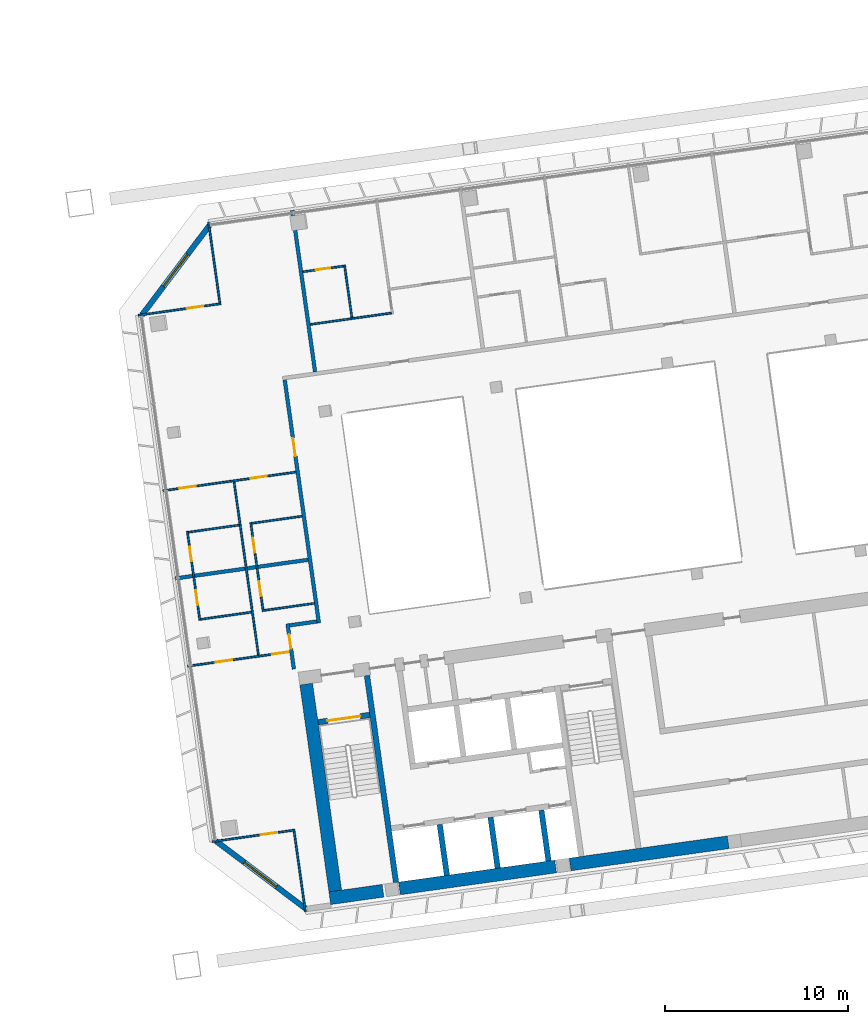
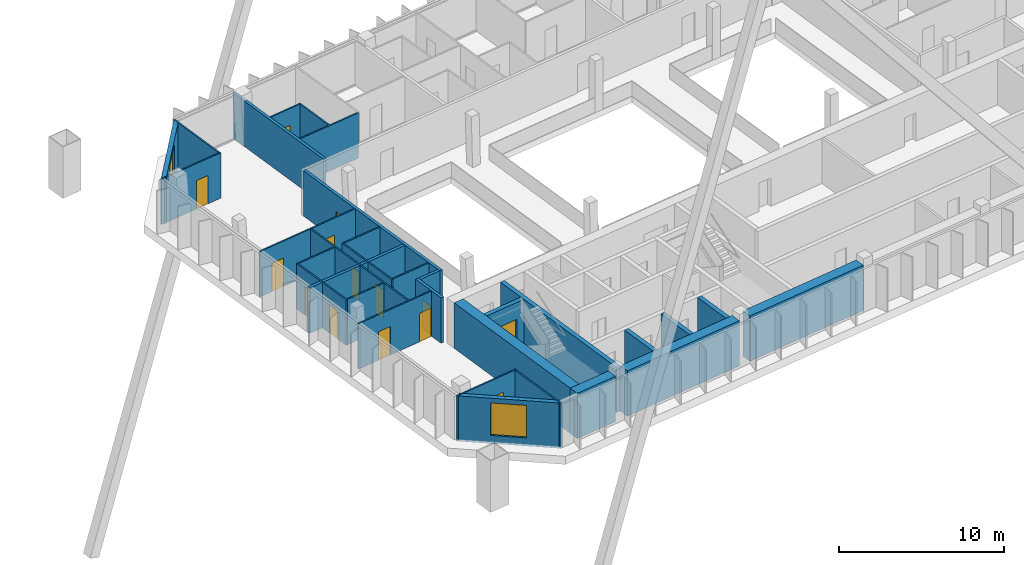
# One storey, part 28 of 38: 32 walls, 14 doors, 2 windows, 16 openings.
"""IFC4 building model written with IfcOpenShell, lengths in metres."""

from ifc_helpers import new_model, si_unit, direction, frame, frame_2d, origin, place, context, subcontext, project, spatial, rectangle, extrude, material, layer, layer_set, type_object, element, fill, save


model = new_model("IFC4")

# Units and contexts
model_context = context("Model", 3, precision=1e-05, world=origin(), true_north=direction((0.0, 1.0)))
body_context = subcontext(model_context, "Body", "Model", "MODEL_VIEW")
ifc_project = project(units=[si_unit("LENGTHUNIT", "METRE"), si_unit("AREAUNIT", "SQUARE_METRE"), si_unit("VOLUMEUNIT", "CUBIC_METRE"), si_unit("PLANEANGLEUNIT", "RADIAN"), si_unit("MASSUNIT", "GRAM", prefix="KILO")], contexts=[model_context])

# Site, building, storey
site_placement = place(None, origin())
site = spatial("IfcSite", under=ifc_project, at=site_placement, CompositionType="ELEMENT")
building_placement = place(site_placement, origin())
building = spatial("IfcBuilding", under=site, at=building_placement, Name="Mirante Cascada Hotel Towers", CompositionType="ELEMENT")
storey_placement = place(building_placement, frame((0.0, 0.0, 184.0)))
storey = spatial("IfcBuildingStorey", under=building, at=storey_placement, Name="L43", CompositionType="ELEMENT", Elevation=184.0)

# Walls
ifc_material_1 = material(Name="Fire-rated plasterboard on metal studs")
ifc_layer_1 = layer(ifc_material_1, 0.2)
ifc_layer_set_1 = layer_set([ifc_layer_1], Name="Compartment wall 200 EI 120")
wall_type_1 = type_object("IfcWallType", Name="Compartment wall 200 EI 120", PredefinedType="PARTITIONING", material=ifc_layer_set_1)
wall_1_placement = place(storey_placement, frame((36.5138, -4.518, 0.0), z_axis=(0.0, 0.0, 1.0), x_axis=(-0.9902735, -0.1391343, 0.0)))
element("IfcWall", 1, at=wall_1_placement, inside=storey, type_object=wall_type_1, Name="Wall 2-L43-03", PredefinedType="PARTITIONING", context=body_context, shape_type="SweptSolid", body=[
    extrude(rectangle(XDim=1.5, YDim=0.2, at=frame_2d((0.75, 0.0))), origin(), (0.0, 0.0, 1.0), 3.35),
])
wall_2_placement = place(storey_placement, frame((36.0406, -1.151, 0.0), z_axis=(0.0, 0.0, 1.0), x_axis=(-0.990268, -0.1391738, 0.0)))
element("IfcWall", 2, at=wall_2_placement, inside=storey, type_object=wall_type_1, Name="Wall 2-L43-07", PredefinedType="PARTITIONING", context=body_context, shape_type="SweptSolid", body=[
    extrude(rectangle(XDim=7.3203, YDim=0.2, at=frame_2d((3.6602, 0.0))), origin(), (0.0, 0.0, 1.0), 3.35),
])

# Wall, opening, door
wall_3_placement = place(storey_placement, frame((34.9155, -4.6416, 0.0), z_axis=(0.0, 0.0, 1.0), x_axis=(0.1391586, -0.9902701, 0.0)))
wall_3 = element("IfcWall", 3, at=wall_3_placement, inside=storey, type_object=wall_type_1, Name="Wall 2-L43-33", PredefinedType="PARTITIONING", context=body_context, shape_type="SweptSolid", body=[
    extrude(rectangle(XDim=2.5, YDim=0.2, at=frame_2d((1.25, 0.0))), origin(), (0.0, 0.0, 1.0), 3.35),
])
opening_1_placement = place(wall_3_placement, frame((0.5833, 0.0, 0.0)))
opening_1 = element("IfcOpeningElement", 4, at=opening_1_placement, cuts=wall_3, Name="Opening D2-L43-26", PredefinedType="OPENING", context=body_context, shape_type="SweptSolid", body=[
    extrude(rectangle(XDim=0.8, YDim=2.1, at=frame_2d((0.4, 1.05))), frame((0.0, 0.1, 0.0), z_axis=(0.0, -1.0, 0.0), x_axis=(1.0, 0.0, 0.0)), (0.0, 0.0, 1.0), 0.2),
])
ifc_material_2 = material(Name="Fire-rated timber door leaf", Category="wood")
door_type_1 = type_object("IfcDoorType", Name="Bathroom door DG4 800x2100 EI 60", OperationType="SINGLE_SWING_LEFT", PredefinedType="DOOR", material=ifc_material_2)
door_1_placement = place(opening_1_placement, origin())
door_1 = element("IfcDoor", 5, at=door_1_placement, inside=storey, type_object=door_type_1, Name="Door D2-L43-26", OperationType="SINGLE_SWING_LEFT", OverallHeight=2.1, OverallWidth=0.8, PredefinedType="DOOR", context=body_context, shape_type="SweptSolid", body=[
    extrude(rectangle(XDim=0.8, YDim=2.1, at=frame_2d((0.4, 1.05))), frame((0.0, 0.025, 0.0), z_axis=(0.0, -1.0, 0.0), x_axis=(1.0, 0.0, 0.0)), (0.0, 0.0, 1.0), 0.05),
])
fill(opening_1, door_1)

wall_4_placement = place(storey_placement, frame((36.6268, -4.6031, 0.0), z_axis=(0.0, 0.0, 1.0), x_axis=(-0.1391789, 0.9902673, 0.0)))
wall_4 = element("IfcWall", 6, at=wall_4_placement, inside=storey, type_object=wall_type_1, Name="Wall 2-L43-34", PredefinedType="PARTITIONING", context=body_context, shape_type="SweptSolid", body=[
    extrude(rectangle(XDim=13.4, YDim=0.2, at=frame_2d((6.7, 0.0))), origin(), (0.0, 0.0, 1.0), 3.35),
])
opening_2_placement = place(wall_4_placement, frame((9.1833, 0.0, 0.0)))
opening_2 = element("IfcOpeningElement", 7, at=opening_2_placement, cuts=wall_4, Name="Opening D2-L43-27", PredefinedType="OPENING", context=body_context, shape_type="SweptSolid", body=[
    extrude(rectangle(XDim=1.0, YDim=2.1, at=frame_2d((0.5, 1.05))), frame((0.0, 0.1, 0.0), z_axis=(0.0, -1.0, 0.0), x_axis=(1.0, 0.0, 0.0)), (0.0, 0.0, 1.0), 0.2),
])
ifc_material_3 = material(Name="Fire-rated timber door leaf", Category="wood")
door_type_2 = type_object("IfcDoorType", Name="Entrance door DG1 1000x2100 EI 60", OperationType="SINGLE_SWING_LEFT", PredefinedType="DOOR", material=ifc_material_3)
door_2_placement = place(opening_2_placement, origin())
door_2 = element("IfcDoor", 8, at=door_2_placement, inside=storey, type_object=door_type_2, Name="Door D2-L43-27", OperationType="SINGLE_SWING_LEFT", OverallHeight=2.1, OverallWidth=1.0, PredefinedType="DOOR", context=body_context, shape_type="SweptSolid", body=[
    extrude(rectangle(XDim=1.0, YDim=2.1, at=frame_2d((0.5, 1.05))), frame((0.0, 0.025, 0.0), z_axis=(0.0, -1.0, 0.0), x_axis=(1.0, 0.0, 0.0)), (0.0, 0.0, 1.0), 0.05),
])
fill(opening_2, door_2)

# Wall
wall_5_placement = place(storey_placement, frame((35.1805, 17.9148, 0.0), z_axis=(0.0, 0.0, 1.0), x_axis=(0.1391794, -0.9902672, 0.0)))
element("IfcWall", 9, at=wall_5_placement, inside=storey, type_object=wall_type_1, Name="Wall 2-L43-35", PredefinedType="PARTITIONING", context=body_context, shape_type="SweptSolid", body=[
    extrude(rectangle(XDim=8.9, YDim=0.2, at=frame_2d((4.45, 0.0))), origin(), (0.0, 0.0, 1.0), 3.35),
])

# Wall, opening, door
ifc_material_4 = material(Name="Plasterboard on metal studs")
ifc_layer_2 = layer(ifc_material_4, 0.1)
ifc_layer_set_2 = layer_set([ifc_layer_2], Name="Partition 100")
wall_type_2 = type_object("IfcWallType", Name="Partition 100", PredefinedType="PARTITIONING", material=ifc_layer_set_2)
wall_6_placement = place(storey_placement, frame((35.3152, -15.8955, 0.0), z_axis=(0.0, 0.0, 1.0), x_axis=(-0.9902691, -0.1391656, 0.0)))
wall_6 = element("IfcWall", 10, at=wall_6_placement, inside=storey, type_object=wall_type_2, Name="Wall 2-L43-01", PredefinedType="PARTITIONING", context=body_context, shape_type="SweptSolid", body=[
    extrude(rectangle(XDim=4.55, YDim=0.1, at=frame_2d((2.275, 0.0))), origin(), (0.0, 0.0, 1.0), 3.35),
])
opening_3_placement = place(wall_6_placement, frame((0.9718, 0.0, 0.0)))
opening_3 = element("IfcOpeningElement", 11, at=opening_3_placement, cuts=wall_6, Name="Opening D2-L43-01", PredefinedType="OPENING", context=body_context, shape_type="SweptSolid", body=[
    extrude(rectangle(XDim=0.9, YDim=2.1, at=frame_2d((0.45, 1.05))), frame((0.0, 0.05, 0.0), z_axis=(0.0, -1.0, 0.0), x_axis=(1.0, 0.0, 0.0)), (0.0, 0.0, 1.0), 0.1),
])
ifc_material_5 = material(Name="Timber door leaf", Category="wood")
door_type_3 = type_object("IfcDoorType", Name="Room door DG3 900x2100", OperationType="SINGLE_SWING_LEFT", PredefinedType="DOOR", material=ifc_material_5)
door_3_placement = place(opening_3_placement, frame((0.9, 0.0, 0.0), z_axis=(0.0, 0.0, 1.0), x_axis=(-1.0, 0.0, 0.0)))
door_3 = element("IfcDoor", 12, at=door_3_placement, inside=storey, type_object=door_type_3, Name="Door D2-L43-01", OperationType="SINGLE_SWING_RIGHT", OverallHeight=2.1, OverallWidth=0.9, PredefinedType="DOOR", context=body_context, shape_type="SweptSolid", body=[
    extrude(rectangle(XDim=0.9, YDim=2.1, at=frame_2d((0.45, 1.05))), frame((0.0, 0.025, 0.0), z_axis=(0.0, -1.0, 0.0), x_axis=(1.0, 0.0, 0.0)), (0.0, 0.0, 1.0), 0.05),
])
fill(opening_3, door_3)

# Wall, openings, doors
wall_7_placement = place(storey_placement, frame((29.4641, -6.9561, 0.0), z_axis=(0.0, 0.0, 1.0), x_axis=(0.9902683, 0.1391717, 0.0)))
wall_7 = element("IfcWall", 13, at=wall_7_placement, inside=storey, type_object=wall_type_2, Name="Wall 2-L43-02", PredefinedType="PARTITIONING", context=body_context, shape_type="SweptSolid", body=[
    extrude(rectangle(XDim=5.6204, YDim=0.1, at=frame_2d((2.8102, 0.0))), origin(), (0.0, 0.0, 1.0), 3.35),
])
opening_4_placement = place(wall_7_placement, frame((1.55, 0.0, 0.0)))
opening_4 = element("IfcOpeningElement", 14, at=opening_4_placement, cuts=wall_7, Name="Opening D2-L43-02", PredefinedType="OPENING", context=body_context, shape_type="SweptSolid", body=[
    extrude(rectangle(XDim=0.9, YDim=2.1, at=frame_2d((0.45, 1.05))), frame((0.0, 0.05, 0.0), z_axis=(0.0, -1.0, 0.0), x_axis=(1.0, 0.0, 0.0)), (0.0, 0.0, 1.0), 0.1),
])
opening_5_placement = place(wall_7_placement, frame((4.6704, 0.0, 0.0)))
opening_5 = element("IfcOpeningElement", 15, at=opening_5_placement, cuts=wall_7, Name="Opening D2-L43-03", PredefinedType="OPENING", context=body_context, shape_type="SweptSolid", body=[
    extrude(rectangle(XDim=0.9, YDim=2.1, at=frame_2d((0.45, 1.05))), frame((0.0, 0.05, 0.0), z_axis=(0.0, -1.0, 0.0), x_axis=(1.0, 0.0, 0.0)), (0.0, 0.0, 1.0), 0.1),
])
door_4_placement = place(opening_4_placement, frame((0.9, 0.0, 0.0), z_axis=(0.0, 0.0, 1.0), x_axis=(-1.0, 0.0, 0.0)))
door_4 = element("IfcDoor", 16, at=door_4_placement, inside=storey, type_object=door_type_3, Name="Door D2-L43-02", OperationType="SINGLE_SWING_RIGHT", OverallHeight=2.1, OverallWidth=0.9, PredefinedType="DOOR", context=body_context, shape_type="SweptSolid", body=[
    extrude(rectangle(XDim=0.9, YDim=2.1, at=frame_2d((0.45, 1.05))), frame((0.0, 0.025, 0.0), z_axis=(0.0, -1.0, 0.0), x_axis=(1.0, 0.0, 0.0)), (0.0, 0.0, 1.0), 0.05),
])
fill(opening_4, door_4)
door_5_placement = place(opening_5_placement, frame((0.9, 0.0, 0.0), z_axis=(0.0, 0.0, 1.0), x_axis=(-1.0, 0.0, 0.0)))
door_5 = element("IfcDoor", 17, at=door_5_placement, inside=storey, type_object=door_type_3, Name="Door D2-L43-03", OperationType="SINGLE_SWING_RIGHT", OverallHeight=2.1, OverallWidth=0.9, PredefinedType="DOOR", context=body_context, shape_type="SweptSolid", body=[
    extrude(rectangle(XDim=0.9, YDim=2.1, at=frame_2d((0.45, 1.05))), frame((0.0, 0.025, 0.0), z_axis=(0.0, -1.0, 0.0), x_axis=(1.0, 0.0, 0.0)), (0.0, 0.0, 1.0), 0.05),
])
fill(opening_5, door_5)

# Walls
wall_8_placement = place(storey_placement, frame((32.9481, -4.0093, 0.0), z_axis=(0.0, 0.0, 1.0), x_axis=(-0.9902719, -0.1391459, 0.0)))
element("IfcWall", 18, at=wall_8_placement, inside=storey, type_object=wall_type_2, Name="Wall 2-L43-05", PredefinedType="PARTITIONING", context=body_context, shape_type="SweptSolid", body=[
    extrude(rectangle(XDim=2.7999, YDim=0.1, at=frame_2d((1.4, 0.0))), origin(), (0.0, 0.0, 1.0), 3.35),
])
wall_9_placement = place(storey_placement, frame((33.6312, -3.9133, 0.0), z_axis=(0.0, 0.0, 1.0), x_axis=(0.9902668, 0.1391824, 0.0)))
element("IfcWall", 19, at=wall_9_placement, inside=storey, type_object=wall_type_2, Name="Wall 2-L43-06", PredefinedType="PARTITIONING", context=body_context, shape_type="SweptSolid", body=[
    extrude(rectangle(XDim=2.7705, YDim=0.1, at=frame_2d((1.3853, 0.0))), origin(), (0.0, 0.0, 1.0), 3.35),
])
wall_10_placement = place(storey_placement, frame((32.2801, 0.744, 0.0), z_axis=(0.0, 0.0, 1.0), x_axis=(-0.9902677, -0.139176, 0.0)))
element("IfcWall", 20, at=wall_10_placement, inside=storey, type_object=wall_type_2, Name="Wall 2-L43-09", PredefinedType="PARTITIONING", context=body_context, shape_type="SweptSolid", body=[
    extrude(rectangle(XDim=2.8001, YDim=0.1, at=frame_2d((1.4, 0.0))), origin(), (0.0, 0.0, 1.0), 3.35),
])
wall_11_placement = place(storey_placement, frame((32.9632, 0.84, 0.0), z_axis=(0.0, 0.0, 1.0), x_axis=(0.9902661, 0.1391874, 0.0)))
element("IfcWall", 21, at=wall_11_placement, inside=storey, type_object=wall_type_2, Name="Wall 2-L43-10", PredefinedType="PARTITIONING", context=body_context, shape_type="SweptSolid", body=[
    extrude(rectangle(XDim=2.7704, YDim=0.1, at=frame_2d((1.3852, 0.0))), origin(), (0.0, 0.0, 1.0), 3.35),
])

# Wall, openings, doors
wall_12_placement = place(storey_placement, frame((35.368, 3.6352, 0.0), z_axis=(0.0, 0.0, 1.0), x_axis=(-0.9902682, -0.1391719, 0.0)))
wall_12 = element("IfcWall", 22, at=wall_12_placement, inside=storey, type_object=wall_type_2, Name="Wall 2-L43-13", PredefinedType="PARTITIONING", context=body_context, shape_type="SweptSolid", body=[
    extrude(rectangle(XDim=7.3204, YDim=0.1, at=frame_2d((3.6602, 0.0))), origin(), (0.0, 0.0, 1.0), 3.35),
])
opening_6_placement = place(wall_12_placement, frame((5.5153, 0.0, 0.0)))
opening_6 = element("IfcOpeningElement", 23, at=opening_6_placement, cuts=wall_12, Name="Opening D2-L43-07", PredefinedType="OPENING", context=body_context, shape_type="SweptSolid", body=[
    extrude(rectangle(XDim=0.9, YDim=2.1, at=frame_2d((0.45, 1.05))), frame((0.0, 0.05, 0.0), z_axis=(0.0, -1.0, 0.0), x_axis=(1.0, 0.0, 0.0)), (0.0, 0.0, 1.0), 0.1),
])
opening_7_placement = place(wall_12_placement, frame((1.6051, 0.0, 0.0)))
opening_7 = element("IfcOpeningElement", 24, at=opening_7_placement, cuts=wall_12, Name="Opening D2-L43-08", PredefinedType="OPENING", context=body_context, shape_type="SweptSolid", body=[
    extrude(rectangle(XDim=0.9, YDim=2.1, at=frame_2d((0.45, 1.05))), frame((0.0, 0.05, 0.0), z_axis=(0.0, -1.0, 0.0), x_axis=(1.0, 0.0, 0.0)), (0.0, 0.0, 1.0), 0.1),
])
door_6_placement = place(opening_6_placement, frame((0.9, 0.0, 0.0), z_axis=(0.0, 0.0, 1.0), x_axis=(-1.0, 0.0, 0.0)))
door_6 = element("IfcDoor", 25, at=door_6_placement, inside=storey, type_object=door_type_3, Name="Door D2-L43-07", OperationType="SINGLE_SWING_RIGHT", OverallHeight=2.1, OverallWidth=0.9, PredefinedType="DOOR", context=body_context, shape_type="SweptSolid", body=[
    extrude(rectangle(XDim=0.9, YDim=2.1, at=frame_2d((0.45, 1.05))), frame((0.0, 0.025, 0.0), z_axis=(0.0, -1.0, 0.0), x_axis=(1.0, 0.0, 0.0)), (0.0, 0.0, 1.0), 0.05),
])
fill(opening_6, door_6)
door_7_placement = place(opening_7_placement, frame((0.9, 0.0, 0.0), z_axis=(0.0, 0.0, 1.0), x_axis=(-1.0, 0.0, 0.0)))
door_7 = element("IfcDoor", 26, at=door_7_placement, inside=storey, type_object=door_type_3, Name="Door D2-L43-08", OperationType="SINGLE_SWING_RIGHT", OverallHeight=2.1, OverallWidth=0.9, PredefinedType="DOOR", context=body_context, shape_type="SweptSolid", body=[
    extrude(rectangle(XDim=0.9, YDim=2.1, at=frame_2d((0.45, 1.05))), frame((0.0, 0.025, 0.0), z_axis=(0.0, -1.0, 0.0), x_axis=(1.0, 0.0, 0.0)), (0.0, 0.0, 1.0), 0.05),
])
fill(opening_7, door_7)

# Wall
wall_13_placement = place(storey_placement, frame((40.5848, 12.3124, 0.0), z_axis=(0.0, 0.0, 1.0), x_axis=(-0.9902676, -0.1391764, 0.0)))
element("IfcWall", 27, at=wall_13_placement, inside=storey, type_object=wall_type_2, Name="Wall 2-L43-17", PredefinedType="PARTITIONING", context=body_context, shape_type="SweptSolid", body=[
    extrude(rectangle(XDim=4.472, YDim=0.1, at=frame_2d((2.236, 0.0))), origin(), (0.0, 0.0, 1.0), 3.35),
])

# Wall, opening, door
wall_14_placement = place(storey_placement, frame((31.2792, 12.8223, 0.0), z_axis=(0.0, 0.0, 1.0), x_axis=(-0.9902661, -0.1391871, 0.0)))
wall_14 = element("IfcWall", 28, at=wall_14_placement, inside=storey, type_object=wall_type_2, Name="Wall 2-L43-23", PredefinedType="PARTITIONING", context=body_context, shape_type="SweptSolid", body=[
    extrude(rectangle(XDim=4.55, YDim=0.1, at=frame_2d((2.275, 0.0))), origin(), (0.0, 0.0, 1.0), 3.35),
])
opening_8_placement = place(wall_14_placement, frame((0.9718, 0.0, 0.0)))
opening_8 = element("IfcOpeningElement", 29, at=opening_8_placement, cuts=wall_14, Name="Opening D2-L43-18", PredefinedType="OPENING", context=body_context, shape_type="SweptSolid", body=[
    extrude(rectangle(XDim=0.9, YDim=2.1, at=frame_2d((0.45, 1.05))), frame((0.0, 0.05, 0.0), z_axis=(0.0, -1.0, 0.0), x_axis=(1.0, 0.0, 0.0)), (0.0, 0.0, 1.0), 0.1),
])
door_8_placement = place(opening_8_placement, origin())
door_8 = element("IfcDoor", 30, at=door_8_placement, inside=storey, type_object=door_type_3, Name="Door D2-L43-18", OperationType="SINGLE_SWING_LEFT", OverallHeight=2.1, OverallWidth=0.9, PredefinedType="DOOR", context=body_context, shape_type="SweptSolid", body=[
    extrude(rectangle(XDim=0.9, YDim=2.1, at=frame_2d((0.45, 1.05))), frame((0.0, 0.025, 0.0), z_axis=(0.0, -1.0, 0.0), x_axis=(1.0, 0.0, 0.0)), (0.0, 0.0, 1.0), 0.05),
])
fill(opening_8, door_8)

wall_15_placement = place(storey_placement, frame((37.9808, 14.8749, 0.0), z_axis=(0.0, 0.0, 1.0), x_axis=(-0.9902705, -0.1391561, 0.0)))
wall_15 = element("IfcWall", 31, at=wall_15_placement, inside=storey, type_object=wall_type_2, Name="Wall 2-L43-25", PredefinedType="PARTITIONING", context=body_context, shape_type="SweptSolid", body=[
    extrude(rectangle(XDim=2.25, YDim=0.1, at=frame_2d((1.125, 0.0))), origin(), (0.0, 0.0, 1.0), 3.35),
])
opening_9_placement = place(wall_15_placement, frame((0.75, 0.0, 0.0)))
opening_9 = element("IfcOpeningElement", 32, at=opening_9_placement, cuts=wall_15, Name="Opening D2-L43-19", PredefinedType="OPENING", context=body_context, shape_type="SweptSolid", body=[
    extrude(rectangle(XDim=0.8, YDim=2.1, at=frame_2d((0.4, 1.05))), frame((0.0, 0.05, 0.0), z_axis=(0.0, -1.0, 0.0), x_axis=(1.0, 0.0, 0.0)), (0.0, 0.0, 1.0), 0.1),
])
ifc_material_6 = material(Name="Timber door leaf", Category="wood")
door_type_4 = type_object("IfcDoorType", Name="Bathroom door DG4 800x2100", OperationType="SINGLE_SWING_LEFT", PredefinedType="DOOR", material=ifc_material_6)
door_9_placement = place(opening_9_placement, frame((0.8, 0.0, 0.0), z_axis=(0.0, 0.0, 1.0), x_axis=(-1.0, 0.0, 0.0)))
door_9 = element("IfcDoor", 33, at=door_9_placement, inside=storey, type_object=door_type_4, Name="Door D2-L43-19", OperationType="SINGLE_SWING_RIGHT", OverallHeight=2.1, OverallWidth=0.8, PredefinedType="DOOR", context=body_context, shape_type="SweptSolid", body=[
    extrude(rectangle(XDim=0.8, YDim=2.1, at=frame_2d((0.4, 1.05))), frame((0.0, 0.025, 0.0), z_axis=(0.0, -1.0, 0.0), x_axis=(1.0, 0.0, 0.0)), (0.0, 0.0, 1.0), 0.05),
])
fill(opening_9, door_9)

# Wall, openings, doors
wall_16_placement = place(storey_placement, frame((30.1328, -4.4554, 0.0), z_axis=(0.0, 0.0, 1.0), x_axis=(-0.1391638, 0.9902694, 0.0)))
wall_16 = element("IfcWall", 34, at=wall_16_placement, inside=storey, type_object=wall_type_2, Name="Wall 2-L43-28", PredefinedType="PARTITIONING", context=body_context, shape_type="SweptSolid", body=[
    extrude(rectangle(XDim=4.9, YDim=0.1, at=frame_2d((2.45, 0.0))), origin(), (0.0, 0.0, 1.0), 3.35),
])
opening_10_placement = place(wall_16_placement, frame((0.85, 0.0, 0.0)))
opening_10 = element("IfcOpeningElement", 35, at=opening_10_placement, cuts=wall_16, Name="Opening D2-L43-22", PredefinedType="OPENING", context=body_context, shape_type="SweptSolid", body=[
    extrude(rectangle(XDim=0.8, YDim=2.1, at=frame_2d((0.4, 1.05))), frame((0.0, 0.05, 0.0), z_axis=(0.0, -1.0, 0.0), x_axis=(1.0, 0.0, 0.0)), (0.0, 0.0, 1.0), 0.1),
])
opening_11_placement = place(wall_16_placement, frame((3.25, 0.0, 0.0)))
opening_11 = element("IfcOpeningElement", 36, at=opening_11_placement, cuts=wall_16, Name="Opening D2-L43-23", PredefinedType="OPENING", context=body_context, shape_type="SweptSolid", body=[
    extrude(rectangle(XDim=0.8, YDim=2.1, at=frame_2d((0.4, 1.05))), frame((0.0, 0.05, 0.0), z_axis=(0.0, -1.0, 0.0), x_axis=(1.0, 0.0, 0.0)), (0.0, 0.0, 1.0), 0.1),
])
door_10_placement = place(opening_10_placement, frame((0.8, 0.0, 0.0), z_axis=(0.0, 0.0, 1.0), x_axis=(-1.0, 0.0, 0.0)))
door_10 = element("IfcDoor", 37, at=door_10_placement, inside=storey, type_object=door_type_4, Name="Door D2-L43-22", OperationType="SINGLE_SWING_RIGHT", OverallHeight=2.1, OverallWidth=0.8, PredefinedType="DOOR", context=body_context, shape_type="SweptSolid", body=[
    extrude(rectangle(XDim=0.8, YDim=2.1, at=frame_2d((0.4, 1.05))), frame((0.0, 0.025, 0.0), z_axis=(0.0, -1.0, 0.0), x_axis=(1.0, 0.0, 0.0)), (0.0, 0.0, 1.0), 0.05),
])
fill(opening_10, door_10)
door_11_placement = place(opening_11_placement, frame((0.8, 0.0, 0.0), z_axis=(0.0, 0.0, 1.0), x_axis=(-1.0, 0.0, 0.0)))
door_11 = element("IfcDoor", 38, at=door_11_placement, inside=storey, type_object=door_type_4, Name="Door D2-L43-23", OperationType="SINGLE_SWING_RIGHT", OverallHeight=2.1, OverallWidth=0.8, PredefinedType="DOOR", context=body_context, shape_type="SweptSolid", body=[
    extrude(rectangle(XDim=0.8, YDim=2.1, at=frame_2d((0.4, 1.05))), frame((0.0, 0.025, 0.0), z_axis=(0.0, -1.0, 0.0), x_axis=(1.0, 0.0, 0.0)), (0.0, 0.0, 1.0), 0.05),
])
fill(opening_11, door_11)

# Walls
wall_17_placement = place(storey_placement, frame((31.9979, 3.1111, 0.0), z_axis=(0.0, 0.0, 1.0), x_axis=(0.1391717, -0.9902683, 0.0)))
element("IfcWall", 39, at=wall_17_placement, inside=storey, type_object=wall_type_2, Name="Wall 2-L43-29", PredefinedType="PARTITIONING", context=body_context, shape_type="SweptSolid", body=[
    extrude(rectangle(XDim=9.5666, YDim=0.1, at=frame_2d((4.7833, 0.0))), origin(), (0.0, 0.0, 1.0), 3.35),
])
wall_18_placement = place(storey_placement, frame((35.892, -20.3587, 0.0), z_axis=(0.0, 0.0, 1.0), x_axis=(-0.1391684, 0.9902687, 0.0)))
element("IfcWall", 40, at=wall_18_placement, inside=storey, type_object=wall_type_2, Name="Wall 2-L43-30", PredefinedType="PARTITIONING", context=body_context, shape_type="SweptSolid", body=[
    extrude(rectangle(XDim=4.45, YDim=0.1, at=frame_2d((2.225, 0.0))), origin(), (0.0, 0.0, 1.0), 3.35),
])

# Wall, openings, doors
wall_19_placement = place(storey_placement, frame((32.9067, 0.8826, 0.0), z_axis=(0.0, 0.0, 1.0), x_axis=(0.1391838, -0.9902666, 0.0)))
wall_19 = element("IfcWall", 41, at=wall_19_placement, inside=storey, type_object=wall_type_2, Name="Wall 2-L43-31", PredefinedType="PARTITIONING", context=body_context, shape_type="SweptSolid", body=[
    extrude(rectangle(XDim=4.9, YDim=0.1, at=frame_2d((2.45, 0.0))), origin(), (0.0, 0.0, 1.0), 3.35),
])
opening_12_placement = place(wall_19_placement, frame((3.25, 0.0, 0.0)))
opening_12 = element("IfcOpeningElement", 42, at=opening_12_placement, cuts=wall_19, Name="Opening D2-L43-24", PredefinedType="OPENING", context=body_context, shape_type="SweptSolid", body=[
    extrude(rectangle(XDim=0.8, YDim=2.1, at=frame_2d((0.4, 1.05))), frame((0.0, 0.05, 0.0), z_axis=(0.0, -1.0, 0.0), x_axis=(1.0, 0.0, 0.0)), (0.0, 0.0, 1.0), 0.1),
])
opening_13_placement = place(wall_19_placement, frame((0.85, 0.0, 0.0)))
opening_13 = element("IfcOpeningElement", 43, at=opening_13_placement, cuts=wall_19, Name="Opening D2-L43-25", PredefinedType="OPENING", context=body_context, shape_type="SweptSolid", body=[
    extrude(rectangle(XDim=0.8, YDim=2.1, at=frame_2d((0.4, 1.05))), frame((0.0, 0.05, 0.0), z_axis=(0.0, -1.0, 0.0), x_axis=(1.0, 0.0, 0.0)), (0.0, 0.0, 1.0), 0.1),
])
door_12_placement = place(opening_12_placement, origin())
door_12 = element("IfcDoor", 44, at=door_12_placement, inside=storey, type_object=door_type_4, Name="Door D2-L43-24", OperationType="SINGLE_SWING_LEFT", OverallHeight=2.1, OverallWidth=0.8, PredefinedType="DOOR", context=body_context, shape_type="SweptSolid", body=[
    extrude(rectangle(XDim=0.8, YDim=2.1, at=frame_2d((0.4, 1.05))), frame((0.0, 0.025, 0.0), z_axis=(0.0, -1.0, 0.0), x_axis=(1.0, 0.0, 0.0)), (0.0, 0.0, 1.0), 0.05),
])
fill(opening_12, door_12)
door_13_placement = place(opening_13_placement, origin())
door_13 = element("IfcDoor", 45, at=door_13_placement, inside=storey, type_object=door_type_4, Name="Door D2-L43-25", OperationType="SINGLE_SWING_LEFT", OverallHeight=2.1, OverallWidth=0.8, PredefinedType="DOOR", context=body_context, shape_type="SweptSolid", body=[
    extrude(rectangle(XDim=0.8, YDim=2.1, at=frame_2d((0.4, 1.05))), frame((0.0, 0.025, 0.0), z_axis=(0.0, -1.0, 0.0), x_axis=(1.0, 0.0, 0.0)), (0.0, 0.0, 1.0), 0.05),
])
fill(opening_13, door_13)

# Walls
wall_20_placement = place(storey_placement, frame((31.2227, 12.8648, 0.0), z_axis=(0.0, 0.0, 1.0), x_axis=(-0.1391684, 0.9902687, 0.0)))
element("IfcWall", 46, at=wall_20_placement, inside=storey, type_object=wall_type_2, Name="Wall 2-L43-32", PredefinedType="PARTITIONING", context=body_context, shape_type="SweptSolid", body=[
    extrude(rectangle(XDim=4.45, YDim=0.1, at=frame_2d((2.225, 0.0))), origin(), (0.0, 0.0, 1.0), 3.35),
])
wall_21_placement = place(storey_placement, frame((38.427, 12.0596, 0.0), z_axis=(0.0, 0.0, 1.0), x_axis=(-0.1391714, 0.9902683, 0.0)))
element("IfcWall", 47, at=wall_21_placement, inside=storey, type_object=wall_type_2, Name="Wall 2-L43-36", PredefinedType="PARTITIONING", context=body_context, shape_type="SweptSolid", body=[
    extrude(rectangle(XDim=2.9, YDim=0.1, at=frame_2d((1.45, 0.0))), origin(), (0.0, 0.0, 1.0), 3.35),
])

# Wall, opening, window
ifc_material_7 = material(Name="Precast concrete C40/50", Category="concrete")
ifc_layer_3 = layer(ifc_material_7, 0.3)
ifc_layer_set_3 = layer_set([ifc_layer_3], Name="Precast concrete C40/50 cladding wall 300")
wall_type_3 = type_object("IfcWallType", Name="Precast concrete C40/50 cladding wall 300", PredefinedType="STANDARD", material=ifc_layer_set_3)
wall_22_placement = place(storey_placement, frame((30.6485, 17.0821, 0.0), z_axis=(0.0, 0.0, 1.0), x_axis=(-0.6018141, -0.7986362, 0.0)))
wall_22 = element("IfcWall", 48, at=wall_22_placement, inside=storey, type_object=wall_type_3, Name="Corner cladding wall T2 L43 front inner", PredefinedType="STANDARD", context=body_context, shape_type="SweptSolid", body=[
    extrude(rectangle(XDim=6.1157, YDim=0.3, at=frame_2d((3.0578, 0.0))), origin(), (0.0, 0.0, 1.0), 3.35),
])
opening_14_placement = place(wall_22_placement, frame((1.9578, 0.0, 0.6)))
opening_14 = element("IfcOpeningElement", 49, at=opening_14_placement, cuts=wall_22, Name="Opening W2-43-03", PredefinedType="OPENING", context=body_context, shape_type="SweptSolid", body=[
    extrude(rectangle(XDim=2.2, YDim=2.4, at=frame_2d((1.1, 1.2))), frame((0.0, 0.15, 0.0), z_axis=(0.0, -1.0, 0.0), x_axis=(1.0, 0.0, 0.0)), (0.0, 0.0, 1.0), 0.3),
])
ifc_material_8 = material(Name="Aluminium frame with clear double glazing", Category="aluminium")
window_type = type_object("IfcWindowType", Name="Corner suite window 2200x2400", PartitioningType="DOUBLE_PANEL_VERTICAL", PredefinedType="WINDOW", material=ifc_material_8)
window_1_placement = place(opening_14_placement, origin())
window_1 = element("IfcWindow", 50, at=window_1_placement, inside=storey, type_object=window_type, Name="Window W2-43-03", OverallHeight=2.4, OverallWidth=2.2, PartitioningType="SINGLE_PANEL", PredefinedType="WINDOW", context=body_context, shape_type="SweptSolid", body=[
    extrude(rectangle(XDim=2.2, YDim=2.4, at=frame_2d((1.1, 1.2))), frame((0.0, 0.03, 0.0), z_axis=(0.0, -1.0, 0.0), x_axis=(1.0, 0.0, 0.0)), (0.0, 0.0, 1.0), 0.06),
])
fill(opening_14, window_1)

wall_23_placement = place(storey_placement, frame((30.9989, -16.4836, 0.0), z_axis=(0.0, 0.0, 1.0), x_axis=(0.7986283, -0.6018245, 0.0)))
wall_23 = element("IfcWall", 51, at=wall_23_placement, inside=storey, type_object=wall_type_3, Name="Corner cladding wall T2 L43 inner rear", PredefinedType="STANDARD", context=body_context, shape_type="SweptSolid", body=[
    extrude(rectangle(XDim=6.1157, YDim=0.3, at=frame_2d((3.0578, 0.0))), origin(), (0.0, 0.0, 1.0), 3.35),
])
opening_15_placement = place(wall_23_placement, frame((1.9578, 0.0, 0.6)))
opening_15 = element("IfcOpeningElement", 52, at=opening_15_placement, cuts=wall_23, Name="Opening W2-43-04", PredefinedType="OPENING", context=body_context, shape_type="SweptSolid", body=[
    extrude(rectangle(XDim=2.2, YDim=2.4, at=frame_2d((1.1, 1.2))), frame((0.0, 0.15, 0.0), z_axis=(0.0, -1.0, 0.0), x_axis=(1.0, 0.0, 0.0)), (0.0, 0.0, 1.0), 0.3),
])
window_2_placement = place(opening_15_placement, origin())
window_2 = element("IfcWindow", 53, at=window_2_placement, inside=storey, type_object=window_type, Name="Window W2-43-04", OverallHeight=2.4, OverallWidth=2.2, PartitioningType="SINGLE_PANEL", PredefinedType="WINDOW", context=body_context, shape_type="SweptSolid", body=[
    extrude(rectangle(XDim=2.2, YDim=2.4, at=frame_2d((1.1, 1.2))), frame((0.0, 0.03, 0.0), z_axis=(0.0, -1.0, 0.0), x_axis=(1.0, 0.0, 0.0)), (0.0, 0.0, 1.0), 0.06),
])
fill(opening_15, window_2)

# Wall
ifc_material_9 = material(Name="Concrete C50/60", Category="concrete")
ifc_layer_4 = layer(ifc_material_9, 0.3)
ifc_layer_set_4 = layer_set([ifc_layer_4], Name="RC core wall 300 C50/60")
wall_type_4 = type_object("IfcWallType", Name="RC core wall 300 C50/60", PredefinedType="SHEAR", material=ifc_layer_set_4)
wall_24_placement = place(storey_placement, frame((40.8373, -18.7548, 0.0), z_axis=(0.0, 0.0, 1.0), x_axis=(-0.1391749, 0.9902678, 0.0)))
element("IfcWall", 54, at=wall_24_placement, inside=storey, type_object=wall_type_4, Name="Core wall T2:L43:5", PredefinedType="SHEAR", context=body_context, shape_type="SweptSolid", body=[
    extrude(rectangle(XDim=11.4, YDim=0.3, at=frame_2d((5.7, 0.0))), origin(), (0.0, 0.0, 1.0), 3.35),
])

# Wall, opening, door
wall_25_placement = place(storey_placement, frame((36.5791, -10.0123, 0.0), z_axis=(0.0, 0.0, 1.0), x_axis=(0.9902704, 0.1391564, 0.0)))
wall_25 = element("IfcWall", 55, at=wall_25_placement, inside=storey, type_object=wall_type_4, Name="Core wall T2:L43:8", PredefinedType="SHEAR", context=body_context, shape_type="SweptSolid", body=[
    extrude(rectangle(XDim=2.85, YDim=0.3, at=frame_2d((1.425, 0.0))), origin(), (0.0, 0.0, 1.0), 3.35),
])
opening_16_placement = place(wall_25_placement, frame((0.525, 0.0, 0.0)))
opening_16 = element("IfcOpeningElement", 56, at=opening_16_placement, cuts=wall_25, Name="Opening D2-43-C07", PredefinedType="OPENING", context=body_context, shape_type="SweptSolid", body=[
    extrude(rectangle(XDim=1.8, YDim=2.1, at=frame_2d((0.9, 1.05))), frame((0.0, 0.15, 0.0), z_axis=(0.0, -1.0, 0.0), x_axis=(1.0, 0.0, 0.0)), (0.0, 0.0, 1.0), 0.3),
])
ifc_material_10 = material(Name="Hollow metal fire door leaf")
door_type_5 = type_object("IfcDoorType", Name="Double fire door 1800x2100 FD60", OperationType="DOUBLE_DOOR_SINGLE_SWING", PredefinedType="DOOR", material=ifc_material_10)
door_14_placement = place(opening_16_placement, frame((1.8, 0.0, 0.0), z_axis=(0.0, 0.0, 1.0), x_axis=(-1.0, 0.0, 0.0)))
door_14 = element("IfcDoor", 57, at=door_14_placement, inside=storey, type_object=door_type_5, Name="Stair door T2 L43 7", OperationType="DOUBLE_DOOR_SINGLE_SWING", OverallHeight=2.1, OverallWidth=1.8, PredefinedType="DOOR", context=body_context, shape_type="SweptSolid", body=[
    extrude(rectangle(XDim=0.895, YDim=2.1, at=frame_2d((0.4475, 1.05))), frame((0.0, 0.025, 0.0), z_axis=(0.0, -1.0, 0.0), x_axis=(1.0, 0.0, 0.0)), (0.0, 0.0, 1.0), 0.05),
    extrude(rectangle(XDim=0.895, YDim=2.1, at=frame_2d((1.3525, 1.05))), frame((0.0, 0.025, 0.0), z_axis=(0.0, -1.0, 0.0), x_axis=(1.0, 0.0, 0.0)), (0.0, 0.0, 1.0), 0.05),
])
fill(opening_16, door_14)

# Walls
wall_26_placement = place(storey_placement, frame((43.61, -18.3651, 0.0), z_axis=(0.0, 0.0, 1.0), x_axis=(-0.1391459, 0.9902719, 0.0)))
element("IfcWall", 58, at=wall_26_placement, inside=storey, type_object=wall_type_4, Name="Core wall T2:L43:13", PredefinedType="SHEAR", context=body_context, shape_type="SweptSolid", body=[
    extrude(rectangle(XDim=2.7999, YDim=0.3, at=frame_2d((1.4, 0.0))), origin(), (0.0, 0.0, 1.0), 3.35),
])
wall_27_placement = place(storey_placement, frame((46.3828, -17.9754, 0.0), z_axis=(0.0, 0.0, 1.0), x_axis=(-0.139181, 0.990267, 0.0)))
element("IfcWall", 59, at=wall_27_placement, inside=storey, type_object=wall_type_4, Name="Core wall T2:L43:14", PredefinedType="SHEAR", context=body_context, shape_type="SweptSolid", body=[
    extrude(rectangle(XDim=2.8, YDim=0.3, at=frame_2d((1.4, 0.0))), origin(), (0.0, 0.0, 1.0), 3.35),
])
wall_28_placement = place(storey_placement, frame((49.1555, -17.5857, 0.0), z_axis=(0.0, 0.0, 1.0), x_axis=(-0.1391459, 0.9902719, 0.0)))
element("IfcWall", 60, at=wall_28_placement, inside=storey, type_object=wall_type_4, Name="Core wall T2:L43:15", PredefinedType="SHEAR", context=body_context, shape_type="SweptSolid", body=[
    extrude(rectangle(XDim=2.7999, YDim=0.3, at=frame_2d((1.4, 0.0))), origin(), (0.0, 0.0, 1.0), 3.35),
])
ifc_material_11 = material(Name="Concrete C50/60", Category="concrete")
ifc_layer_5 = layer(ifc_material_11, 0.7)
ifc_layer_set_5 = layer_set([ifc_layer_5], Name="RC core wall 700 C50/60")
wall_type_5 = type_object("IfcWallType", Name="RC core wall 700 C50/60", PredefinedType="SHEAR", material=ifc_layer_set_5)
wall_29_placement = place(storey_placement, frame((37.222, -19.6163, 0.0), z_axis=(0.0, 0.0, 1.0), x_axis=(0.9902689, 0.139167, 0.0)))
element("IfcWall", 61, at=wall_29_placement, inside=storey, type_object=wall_type_5, Name="Core wall T2:L43:1.1", PredefinedType="SHEAR", context=body_context, shape_type="SweptSolid", body=[
    extrude(rectangle(XDim=2.9317, YDim=0.7, at=frame_2d((1.4659, 0.0))), origin(), (0.0, 0.0, 1.0), 3.35),
])
wall_30_placement = place(storey_placement, frame((41.0211, -19.0824, 0.0), z_axis=(0.0, 0.0, 1.0), x_axis=(0.9902682, 0.1391724, 0.0)))
element("IfcWall", 62, at=wall_30_placement, inside=storey, type_object=wall_type_5, Name="Core wall T2:L43:1.2", PredefinedType="SHEAR", context=body_context, shape_type="SweptSolid", body=[
    extrude(rectangle(XDim=8.6044, YDim=0.7, at=frame_2d((4.3022, 0.0))), origin(), (0.0, 0.0, 1.0), 3.35),
])
wall_31_placement = place(storey_placement, frame((50.3363, -17.7732, 0.0), z_axis=(0.0, 0.0, 1.0), x_axis=(0.990269, 0.1391667, 0.0)))
element("IfcWall", 63, at=wall_31_placement, inside=storey, type_object=wall_type_5, Name="Core wall T2:L43:1.3", PredefinedType="SHEAR", context=body_context, shape_type="SweptSolid", body=[
    extrude(rectangle(XDim=8.7068, YDim=0.7, at=frame_2d((4.3534, 0.0))), origin(), (0.0, 0.0, 1.0), 3.35),
])
wall_32_placement = place(storey_placement, frame((37.5199, -19.221, 0.0), z_axis=(0.0, 0.0, 1.0), x_axis=(-0.1391761, 0.9902677, 0.0)))
element("IfcWall", 64, at=wall_32_placement, inside=storey, type_object=wall_type_5, Name="Core wall T2:L43:3", PredefinedType="SHEAR", context=body_context, shape_type="SweptSolid", body=[
    extrude(rectangle(XDim=11.3999, YDim=0.7, at=frame_2d((5.7, 0.0))), origin(), (0.0, 0.0, 1.0), 3.35),
])

save(model, "model.ifc")
